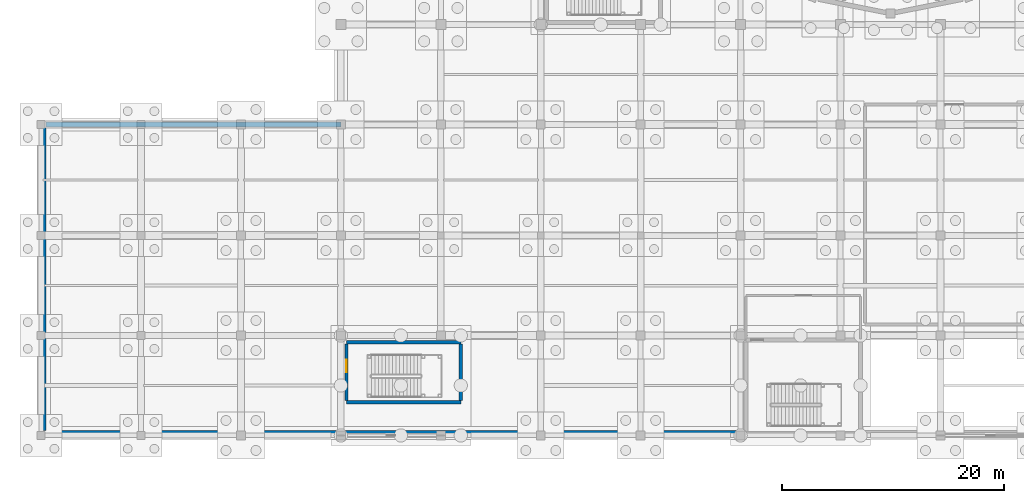
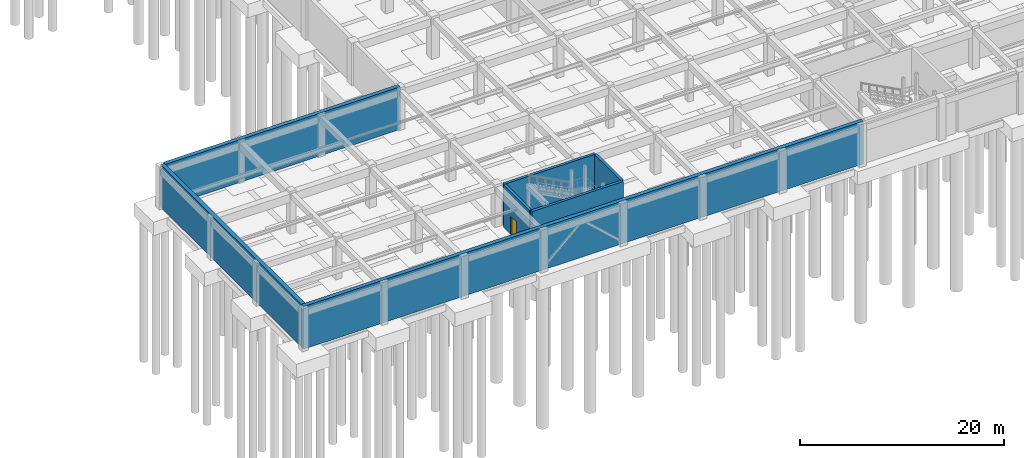
# One storey, part 42 of 62: 7 walls, 1 door, 1 opening.
"""IFC4 building model written with IfcOpenShell, lengths in metres."""

from ifc_helpers import new_model, si_unit, direction, frame, frame_2d, origin, place, context, subcontext, project, spatial, rectangle, extrude, material, layer, layer_set, type_object, element, fill, save


model = new_model("IFC4")

# Units and contexts
model_context = context("Model", 3, precision=1e-05, world=origin(), true_north=direction((0.0, 1.0)))
body_context = subcontext(model_context, "Body", "Model", "MODEL_VIEW")
ifc_project = project(units=[si_unit("LENGTHUNIT", "METRE"), si_unit("AREAUNIT", "SQUARE_METRE"), si_unit("VOLUMEUNIT", "CUBIC_METRE"), si_unit("PLANEANGLEUNIT", "RADIAN"), si_unit("MASSUNIT", "GRAM", prefix="KILO")], contexts=[model_context])

# Site, building, storey
site_placement = place(None, origin())
site = spatial("IfcSite", under=ifc_project, at=site_placement, CompositionType="ELEMENT")
building_placement = place(site_placement, origin())
building = spatial("IfcBuilding", under=site, at=building_placement, Name="Miravela Opera House", CompositionType="ELEMENT")
storey_placement = place(building_placement, frame((0.0, 0.0, -5.10009765625)))
storey = spatial("IfcBuildingStorey", under=building, at=storey_placement, Name="B01", CompositionType="ELEMENT", Elevation=-5.10009765625)

# Walls
ifc_material_1 = material(Name="Concrete C40/50", Category="concrete")
ifc_layer_1 = layer(ifc_material_1, 0.449951171875)
ifc_layer_set_1 = layer_set([ifc_layer_1])
wall_type_1 = type_object("IfcWallType", Name="STR-WALL-RET-450", PredefinedType="SOLIDWALL", material=ifc_layer_set_1)
wall_1_placement = place(storey_placement, frame((0.0, 0.22509765625, 0.0), z_axis=(0.0, 0.0, 1.0), x_axis=(1.0, 0.0, 0.0)))
element("IfcWall", 1, at=wall_1_placement, inside=storey, type_object=wall_type_1, Name="Basement Retaining Wall B01-RET-S1W", PredefinedType="SOLIDWALL", context=body_context, shape_type="SweptSolid", body=[
    extrude(rectangle(XDim=63.300048828125, YDim=0.449951171875, at=frame_2d((31.64990234375, 0.0))), origin(), (0.0, 0.0, 1.0), 5.10009765625),
])
wall_2_placement = place(storey_placement, frame((0.22509765625, 0.449951171875, 0.0), z_axis=(0.0, 0.0, 1.0), x_axis=(0.0, 1.0, 0.0)))
element("IfcWall", 2, at=wall_2_placement, inside=storey, type_object=wall_type_1, Name="Basement Retaining Wall B01-RET-WS", PredefinedType="SOLIDWALL", context=body_context, shape_type="SweptSolid", body=[
    extrude(rectangle(XDim=27.550048828125, YDim=0.449951171875, at=frame_2d((13.77490234375, 0.0))), origin(), (0.0, 0.0, 1.0), 5.10009765625),
])
wall_3_placement = place(storey_placement, frame((0.449951171875, 28.0, 0.0), z_axis=(0.0, 0.0, 1.0), x_axis=(1.0, 0.0, 0.0)))
element("IfcWall", 3, at=wall_3_placement, inside=storey, type_object=wall_type_1, Name="Basement Retaining Wall B01-RET-FS", PredefinedType="SOLIDWALL", context=body_context, shape_type="SweptSolid", body=[
    extrude(rectangle(XDim=26.550048828125, YDim=0.449951171875, at=frame_2d((13.27490234375, 0.0))), origin(), (0.0, 0.0, 1.0), 5.10009765625),
])
ifc_material_2 = material(Name="Concrete C35/45", Category="concrete")
ifc_layer_2 = layer(ifc_material_2, 0.300048828125)
ifc_layer_set_2 = layer_set([ifc_layer_2])
wall_type_2 = type_object("IfcWallType", Name="STR-WALL-WING-300", PredefinedType="SHEAR", material=ifc_layer_set_2)
for number, where, z_axis, x_axis, name in (
    (4, (27.5, 3.0, 0.0), (0.0, 0.0, 1.0), (1.0, 0.0, 0.0), "Core ST-08 Shear Wall South (B01)"),
    (5, (27.5, 8.39990234375, 0.0), (0.0, 0.0, 1.0), (1.0, 0.0, 0.0), "Core ST-08 Shear Wall North (B01)"),
):
    element("IfcWall", number, at=place(storey_placement, frame(where, z_axis=z_axis, x_axis=x_axis)), inside=storey, type_object=wall_type_2, Name=name, PredefinedType="SHEAR", context=body_context, shape_type="SweptSolid", body=[
        extrude(rectangle(XDim=10.300048828125, YDim=0.300048828125, at=frame_2d((5.14990234375, 0.0))), origin(), (0.0, 0.0, 1.0), 5.10009765625),
    ])

# Wall, opening, door
wall_4_placement = place(storey_placement, frame((27.5, 3.14990234375, 0.0), z_axis=(0.0, 0.0, 1.0), x_axis=(0.0, 1.0, 0.0)))
wall_4 = element("IfcWall", 6, at=wall_4_placement, inside=storey, type_object=wall_type_2, Name="Core ST-08 Shear Wall West (B01)", PredefinedType="SHEAR", context=body_context, shape_type="SweptSolid", body=[
    extrude(rectangle(XDim=5.10009765625, YDim=0.300048828125, at=frame_2d((2.550048828125, 0.0))), origin(), (0.0, 0.0, 1.0), 5.10009765625),
])
opening_placement = place(wall_4_placement, frame((2.550048828125, 0.0, 0.0)))
opening = element("IfcOpeningElement", 7, at=opening_placement, cuts=wall_4, Name="Opening FD-01", PredefinedType="OPENING", context=body_context, shape_type="SweptSolid", body=[
    extrude(rectangle(XDim=1.10009765625, YDim=2.199951171875, at=frame_2d((0.550048828125, 1.10009765625))), frame((0.0, 0.159912109375, 0.0), z_axis=(0.0, -1.0, 0.0), x_axis=(1.0, 0.0, 0.0)), (0.0, 0.0, 1.0), 0.320068359375),
])
ifc_material_3 = material(Name="Fire-rated steel/hardwood exit stair door", Category="steel")
door_type = type_object("IfcDoorType", Name="ARC-FD-1100X2200", OperationType="NOTDEFINED", PredefinedType="DOOR", material=ifc_material_3)
door_placement = place(opening_placement, frame((1.10009765625, 0.0, 0.0), z_axis=(0.0, 0.0, 1.0), x_axis=(-1.0, 0.0, 0.0)))
door = element("IfcDoor", 8, at=door_placement, inside=storey, type_object=door_type, Name="Exit Stair ST-08 Rated Door (B01) IDR-B01-0046", OperationType="SINGLE_SWING_RIGHT", OverallHeight=2.199951171875, OverallWidth=1.10009765625, PredefinedType="DOOR", context=body_context, shape_type="SweptSolid", body=[
    extrude(rectangle(XDim=1.10009765625, YDim=2.199951171875, at=frame_2d((0.550048828125, 1.10009765625))), frame((0.0, 0.02490234375, 0.0), z_axis=(0.0, -1.0, 0.0), x_axis=(1.0, 0.0, 0.0)), (0.0, 0.0, 1.0), 0.050048828125),
])
fill(opening, door)

# Wall
wall_5_placement = place(storey_placement, frame((37.800048828125, 3.14990234375, 0.0), z_axis=(0.0, 0.0, 1.0), x_axis=(0.0, 1.0, 0.0)))
element("IfcWall", 9, at=wall_5_placement, inside=storey, type_object=wall_type_2, Name="Core ST-08 Shear Wall East (B01)", PredefinedType="SHEAR", context=body_context, shape_type="SweptSolid", body=[
    extrude(rectangle(XDim=5.10009765625, YDim=0.300048828125, at=frame_2d((2.550048828125, 0.0))), origin(), (0.0, 0.0, 1.0), 5.10009765625),
])

save(model, "model.ifc")
